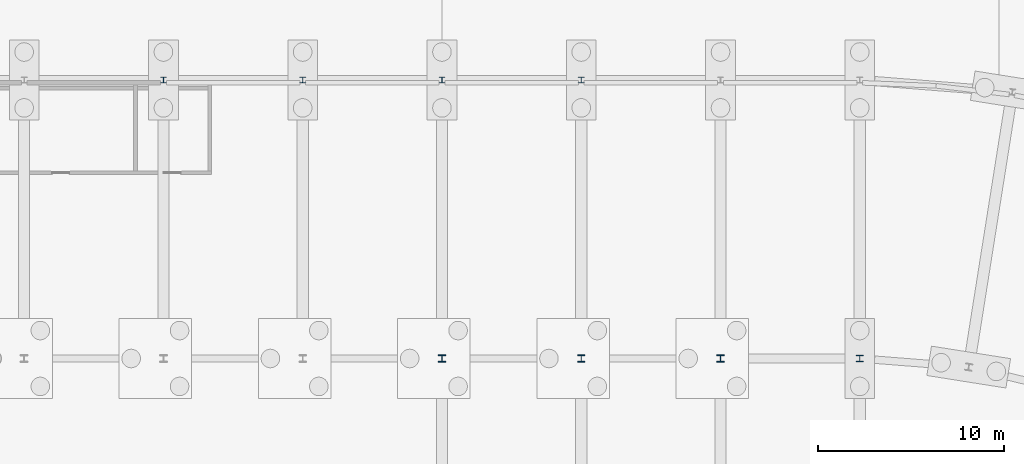
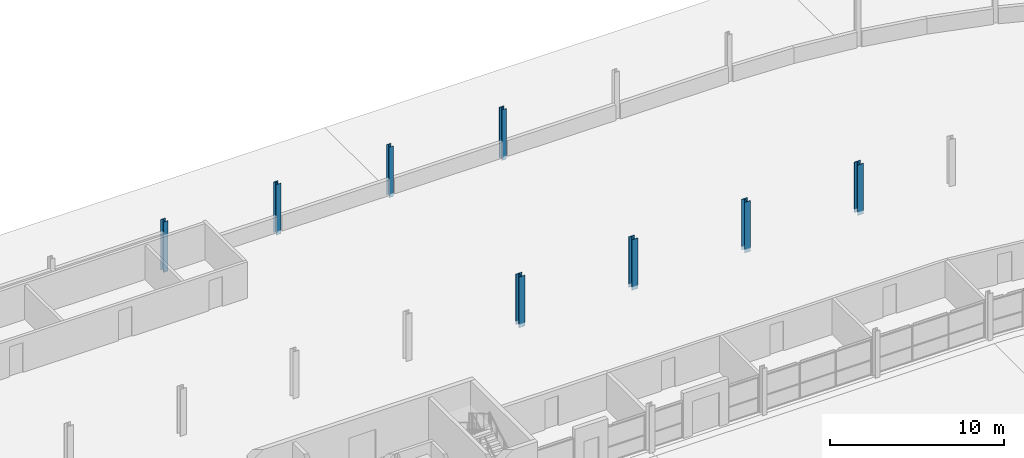
# One storey, part 41 of 130: 8 columns.
"""IFC4 building model written with IfcOpenShell, lengths in metres."""

from ifc_helpers import new_model, si_unit, direction, frame, origin, origin_2d, place, context, subcontext, project, spatial, i_section, extrude, material, material_profile, profile_set, type_object, element, save


model = new_model("IFC4")

# Units and contexts
model_context = context("Model", 3, precision=1e-05, world=origin(), true_north=direction((0.0, 1.0)))
body_context = subcontext(model_context, "Body", "Model", "MODEL_VIEW")
ifc_project = project(units=[si_unit("LENGTHUNIT", "METRE"), si_unit("AREAUNIT", "SQUARE_METRE"), si_unit("VOLUMEUNIT", "CUBIC_METRE"), si_unit("PLANEANGLEUNIT", "RADIAN"), si_unit("MASSUNIT", "GRAM", prefix="KILO")], contexts=[model_context])

# Site, building, storey
site_placement = place(None, origin())
site = spatial("IfcSite", under=ifc_project, at=site_placement, CompositionType="ELEMENT")
building_placement = place(site_placement, origin())
building = spatial("IfcBuilding", under=site, at=building_placement, Name="Parallax Yard Mobility Hub", CompositionType="ELEMENT")
storey_placement = place(building_placement, origin())
storey = spatial("IfcBuildingStorey", under=building, at=storey_placement, Name="L00", CompositionType="ELEMENT", Elevation=0.0)

# Columns
ifc_material = material(Name="Steel ASTM A992", Category="steel")
ifc_material_profile_1 = material_profile(ifc_material, i_section(OverallWidth=0.306884765625, OverallDepth=0.318115234375, WebThickness=0.01318359375, FlangeThickness=0.0205078125, FilletRadius=0.01513671875, at=origin_2d()), Name="W310x129")
ifc_profile_set_1 = profile_set([ifc_material_profile_1], Name="Steel ASTM A992")
column_type_1 = type_object("IfcColumnType", Name="W310x129 column", PredefinedType="COLUMN", material=ifc_profile_set_1)
for number, where, z_axis, x_axis, name in (
    (1, (135.0, 142.5, -0.25), (0.0, 0.0, 1.0), (1.0, 0.0, 0.0), "Column C3 level L00 at V/19 of ramped parking decks"),
    (2, (142.5, 142.5, -0.25), (0.0, 0.0, 1.0), (1.0, 0.0, 0.0), "Column C3 level L00 at V/20 of ramped parking decks"),
    (3, (150.0, 142.5, -0.25), (0.0, 0.0, 1.0), (1.0, 0.0, 0.0), "Column C3 level L00 at V/21 of ramped parking decks"),
    (4, (157.5, 142.5, -0.25), (0.0, 0.0, 1.0), (1.0, 0.0, 0.0), "Column C3 level L00 at V/22 of ramped parking decks"),
):
    element("IfcColumn", number, at=place(storey_placement, frame(where, z_axis=z_axis, x_axis=x_axis)), inside=storey, type_object=column_type_1, Name=name, PredefinedType="COLUMN", context=body_context, shape_type="SweptSolid", body=[
        extrude(i_section(OverallWidth=0.306884765625, OverallDepth=0.318115234375, WebThickness=0.01318359375, FlangeThickness=0.0205078125, FilletRadius=0.01513671875, at=origin_2d()), origin(), (0.0, 0.0, 1.0), 3.550048828125),
    ])
ifc_material_profile_2 = material_profile(ifc_material, i_section(OverallWidth=0.39404296875, OverallDepth=0.3759765625, WebThickness=0.017333984375, FlangeThickness=0.027587890625, FilletRadius=0.01513671875, at=origin_2d()), Name="W360x216")
ifc_profile_set_2 = profile_set([ifc_material_profile_2], Name="Steel ASTM A992")
column_type_2 = type_object("IfcColumnType", Name="W360x216 column", PredefinedType="COLUMN", material=ifc_profile_set_2)
column_placement = place(storey_placement, frame((172.5, 127.5, -0.25), z_axis=(0.0, 0.0, 1.0), x_axis=(1.0, 0.0, 0.0)))
element("IfcColumn", 5, at=column_placement, inside=storey, type_object=column_type_2, Name="Column C9 level L00 at T/24 of ramped parking decks", PredefinedType="COLUMN", context=body_context, shape_type="SweptSolid", body=[
    extrude(i_section(OverallWidth=0.39404296875, OverallDepth=0.3759765625, WebThickness=0.017333984375, FlangeThickness=0.027587890625, FilletRadius=0.01513671875, at=origin_2d()), origin(), (0.0, 0.0, 1.0), 3.550048828125),
])
ifc_material_profile_3 = material_profile(ifc_material, i_section(OverallWidth=0.39599609375, OverallDepth=0.381103515625, WebThickness=0.018798828125, FlangeThickness=0.0302734375, FilletRadius=0.015380859375, at=origin_2d()), Name="W360x237")
ifc_profile_set_3 = profile_set([ifc_material_profile_3], Name="Steel ASTM A992")
column_type_3 = type_object("IfcColumnType", Name="W360x237 column", PredefinedType="COLUMN", material=ifc_profile_set_3)
for number, where, z_axis, x_axis, name in (
    (6, (150.0, 127.5, -0.25), (0.0, 0.0, 1.0), (1.0, 0.0, 0.0), "Column C10 level L00 at T/21 of ramped parking decks"),
    (7, (157.5, 127.5, -0.25), (0.0, 0.0, 1.0), (1.0, 0.0, 0.0), "Column C10 level L00 at T/22 of ramped parking decks"),
    (8, (165.0, 127.5, -0.25), (0.0, 0.0, 1.0), (1.0, 0.0, 0.0), "Column C10 level L00 at T/23 of ramped parking decks"),
):
    element("IfcColumn", number, at=place(storey_placement, frame(where, z_axis=z_axis, x_axis=x_axis)), inside=storey, type_object=column_type_3, Name=name, PredefinedType="COLUMN", context=body_context, shape_type="SweptSolid", body=[
        extrude(i_section(OverallWidth=0.39599609375, OverallDepth=0.381103515625, WebThickness=0.018798828125, FlangeThickness=0.0302734375, FilletRadius=0.015380859375, at=origin_2d()), origin(), (0.0, 0.0, 1.0), 3.550048828125),
    ])

save(model, "model.ifc")
